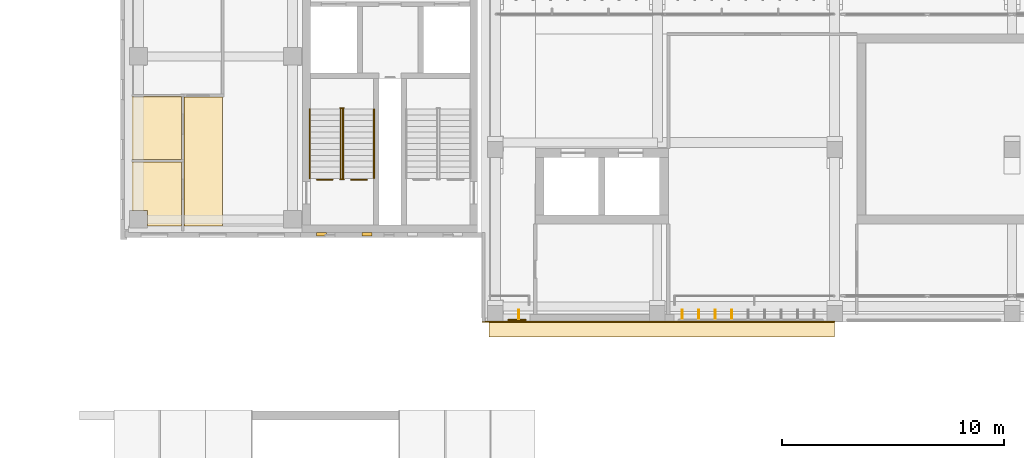
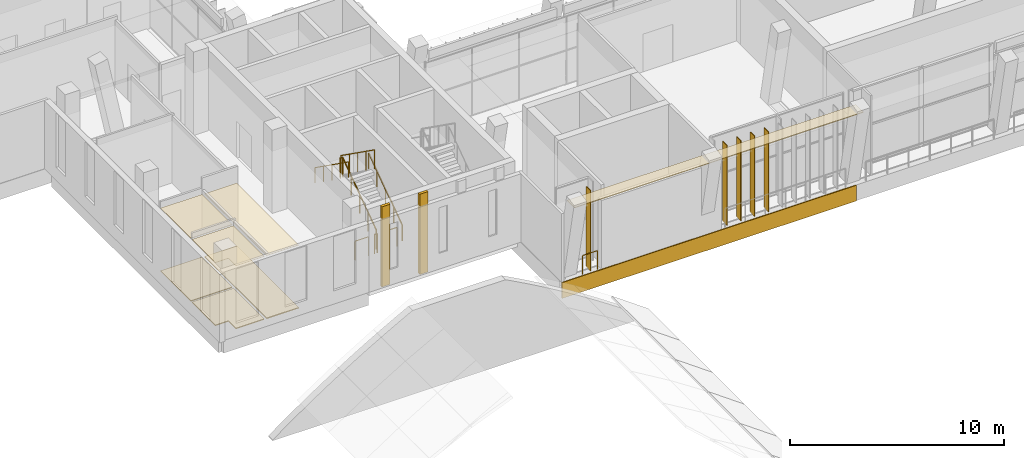
# One storey, part 53 of 74: 10 coverings, 9 railings, 5 shading devices.
"""IFC4 building model written with IfcOpenShell, lengths in metres."""

from ifc_helpers import new_model, si_unit, direction, frame, frame_2d, origin, origin_2d, place, context, subcontext, project, spatial, polyline, rectangle, circle, outline, extrude, material, layer, layer_set, type_object, element, save


model = new_model("IFC4")

# Units and contexts
model_context = context("Model", 3, precision=1e-05, world=origin(), true_north=direction((0.0, 1.0)))
body_context = subcontext(model_context, "Body", "Model", "MODEL_VIEW")
ifc_project = project(units=[si_unit("LENGTHUNIT", "METRE"), si_unit("AREAUNIT", "SQUARE_METRE"), si_unit("VOLUMEUNIT", "CUBIC_METRE"), si_unit("PLANEANGLEUNIT", "RADIAN"), si_unit("MASSUNIT", "GRAM", prefix="KILO")], contexts=[model_context])

# Site, building, storey
site_placement = place(None, origin())
site = spatial("IfcSite", under=ifc_project, at=site_placement, CompositionType="ELEMENT")
building_placement = place(site_placement, origin())
building = spatial("IfcBuilding", under=site, at=building_placement, Name="Lantern Court Media Centre", CompositionType="ELEMENT")
storey_placement = place(building_placement, frame((0.0, 0.0, 19.199951171875)))
storey = spatial("IfcBuildingStorey", under=building, at=storey_placement, Name="L04", CompositionType="ELEMENT", Elevation=19.199951171875)

# Coverings
ifc_material_1 = material(Name="Carpet")
ifc_layer_1 = layer(ifc_material_1, 0.050048828125)
ifc_layer_set_1 = layer_set([ifc_layer_1], Name="Carpet")
covering_type_1 = type_object("IfcCoveringType", Name="Carpet floor finish", PredefinedType="FLOORING", material=ifc_layer_set_1)
covering_1_placement = place(storey_placement, origin())
element("IfcCovering", 1, at=covering_1_placement, inside=storey, type_object=covering_type_1, Name="WC Male floor finish", PredefinedType="FLOORING", context=body_context, shape_type="SweptSolid", body=[
    extrude(outline(polyline([(8.300048828125, 51.18505859375), (10.532470703125, 51.18505859375), (10.532470703125, 48.300048828125), (9.0048828125, 48.300048828125), (9.00341796875, 49.00341796875), (8.300048828125, 49.0048828125), (8.300048828125, 51.18505859375)])), origin(), (0.0, 0.0, 1.0), 0.050048828125),
])
covering_2_placement = place(storey_placement, origin())
element("IfcCovering", 2, at=covering_2_placement, inside=storey, type_object=covering_type_1, Name="WC Female floor finish", PredefinedType="FLOORING", context=body_context, shape_type="SweptSolid", body=[
    extrude(outline(polyline([(8.300048828125, 54.125), (10.532470703125, 54.125), (10.532470703125, 51.294921875), (8.300048828125, 51.294921875), (8.300048828125, 54.125)])), origin(), (0.0, 0.0, 1.0), 0.050048828125),
])

# Railings
ifc_material_2 = material(Name="Powder-coated steel", Category="steel")
railing_type_1 = type_object("IfcRailingType", Name="Floor edge guard 1100", PredefinedType="GUARDRAIL", material=ifc_material_2)
railing_1_placement = place(storey_placement, frame((18.89990234375, 50.390380859375, 0.0)))
element("IfcRailing", 3, at=railing_1_placement, inside=storey, type_object=railing_type_1, Name="L04 opening guard 102", PredefinedType="GUARDRAIL", context=body_context, shape_type="SweptSolid", body=[
    extrude(circle(Radius=0.02392578125, at=origin_2d()), frame((0.0, 0.0, 1.076171875), z_axis=(-1.0, 0.0, 0.0), x_axis=(0.0, -1.0, 0.0)), (0.0, 0.0, 1.0), 0.70361328125),
    extrude(circle(Radius=0.02099609375, at=origin_2d()), origin(), (0.0, 0.0, 1.0), 1.052001953125),
    extrude(circle(Radius=0.02099609375, at=origin_2d()), frame((-0.70361328125, 0.0, 0.0)), (0.0, 0.0, 1.0), 1.052001953125),
])
railing_2_placement = place(storey_placement, frame((17.353759765625, 50.390380859375, 0.0)))
element("IfcRailing", 4, at=railing_2_placement, inside=storey, type_object=railing_type_1, Name="L04 opening guard 103", PredefinedType="GUARDRAIL", context=body_context, shape_type="SweptSolid", body=[
    extrude(circle(Radius=0.02392578125, at=origin_2d()), frame((0.0, 0.0, 1.076171875), z_axis=(-1.0, 0.0, 0.0), x_axis=(0.0, -1.0, 0.0)), (0.0, 0.0, 1.0), 0.703857421875),
    extrude(circle(Radius=0.02099609375, at=origin_2d()), origin(), (0.0, 0.0, 1.0), 1.052001953125),
    extrude(circle(Radius=0.02099609375, at=origin_2d()), frame((-0.703857421875, 0.0, 0.0)), (0.0, 0.0, 1.0), 1.052001953125),
])
railing_3_placement = place(storey_placement, frame((26.074951171875, 44.06005859375, 0.0)))
element("IfcRailing", 5, at=railing_3_placement, inside=storey, type_object=railing_type_1, Name="L04 edge guard 123", PredefinedType="GUARDRAIL", context=body_context, shape_type="SweptSolid", body=[
    extrude(circle(Radius=0.02392578125, at=origin_2d()), frame((0.0, 0.0, 1.076171875), z_axis=(-1.0, 0.0, 0.0), x_axis=(0.0, -1.0, 0.0)), (0.0, 0.0, 1.0), 0.800048828125),
    extrude(circle(Radius=0.02099609375, at=origin_2d()), origin(), (0.0, 0.0, 1.0), 1.052001953125),
    extrude(circle(Radius=0.02099609375, at=origin_2d()), frame((-0.800048828125, 0.0, 0.0)), (0.0, 0.0, 1.0), 1.052001953125),
])

# Coverings
ifc_material_3 = material(Name="White glass-fibre reinforced cement cladding", Category="concrete")
ifc_layer_2 = layer(ifc_material_3, 0.050048828125)
ifc_layer_set_2 = layer_set([ifc_layer_2], Name="White glass-fibre reinforced cement cladding")
covering_type_2 = type_object("IfcCoveringType", Name="Floor-edge band 50", PredefinedType="CLADDING", material=ifc_layer_set_2)
covering_3_placement = place(storey_placement, frame((24.10009765625, 43.97509765625, -0.89990234375), z_axis=(0.0, 0.0, 1.0), x_axis=(1.0, 0.0, 0.0)))
element("IfcCovering", 6, at=covering_3_placement, inside=storey, type_object=covering_type_2, Name="Floor-edge band S outer L04", PredefinedType="CLADDING", context=body_context, shape_type="SweptSolid", body=[
    extrude(rectangle(XDim=15.89990234375, YDim=0.050048828125, at=frame_2d((7.949951171875, 0.0))), origin(), (0.0, 0.0, 1.0), 0.89990234375),
])
ifc_material_4 = material(Name="Honed limestone cladding", Category="masonry")
ifc_layer_3 = layer(ifc_material_4, 0.14990234375)
ifc_layer_set_3 = layer_set([ifc_layer_3], Name="Honed limestone cladding")
covering_type_3 = type_object("IfcCoveringType", Name="Limestone pilaster cladding 150", PredefinedType="CLADDING", material=ifc_layer_set_3)
for number, where, z_axis, x_axis, name in (
    (7, (16.625, 47.925048828125, 0.0), (0.0, 0.0, 1.0), (1.0, 0.0, 0.0), "Limestone pilaster rib"),
    (8, (18.675048828125, 47.925048828125, 0.0), (0.0, 0.0, 1.0), (1.0, 0.0, 0.0), "Limestone pilaster rib"),
):
    element("IfcCovering", number, at=place(storey_placement, frame(where, z_axis=z_axis, x_axis=x_axis)), inside=storey, type_object=covering_type_3, Name=name, PredefinedType="CLADDING", context=body_context, shape_type="SweptSolid", body=[
        extrude(rectangle(XDim=0.449951171875, YDim=0.14990234375, at=frame_2d((0.22509765625, 0.0))), origin(), (0.0, 0.0, 1.0), 4.580078125),
    ])
ifc_material_5 = material(Name="White fibre cement soffit board")
ifc_layer_4 = layer(ifc_material_5, 0.0400390625)
ifc_layer_set_4 = layer_set([ifc_layer_4], Name="White fibre cement soffit board")
covering_type_4 = type_object("IfcCoveringType", Name="Soffit lining 40", PredefinedType="CLADDING", material=ifc_layer_set_4)
covering_4_placement = place(storey_placement, frame((24.39990234375, 43.64990234375, 4.5400390625), z_axis=(0.0, 0.0, 1.0), x_axis=(1.0, 0.0, 0.0)))
element("IfcCovering", 9, at=covering_4_placement, inside=storey, type_object=covering_type_4, Name="Soffit lining S L04", PredefinedType="CLADDING", context=body_context, shape_type="SweptSolid", body=[
    extrude(rectangle(XDim=15.60009765625, YDim=0.699951171875, at=frame_2d((7.800048828125, 0.0))), origin(), (0.0, 0.0, 1.0), 0.0400390625),
])

# Railings
railing_type_2 = type_object("IfcRailingType", Name="Stair guard 1100", PredefinedType="GUARDRAIL", material=ifc_material_2)
railing_4_placement = place(storey_placement, frame((17.825927734375, 50.449951171875, 0.1845703125)))
element("IfcRailing", 10, at=railing_4_placement, inside=storey, type_object=railing_type_2, Name="L04 ST-SWA stair guard 1", PredefinedType="GUARDRAIL", context=body_context, shape_type="SweptSolid", body=[
    extrude(circle(Radius=0.02392578125, at=origin_2d()), frame((0.0, 0.0, 1.076171875), z_axis=(0.0, 0.815346844174, 0.578972817752), x_axis=(-1.0, 0.0, 0.0)), (0.0, 0.0, 1.0), 3.82666015625),
    extrude(circle(Radius=0.02099609375, at=origin_2d()), origin(), (0.0, 0.0, 1.0), 1.052001953125),
    extrude(circle(Radius=0.02099609375, at=origin_2d()), frame((0.0, 0.780029296875, 0.553955078125)), (0.0, 0.0, 1.0), 1.052001953125),
    extrude(circle(Radius=0.02099609375, at=origin_2d()), frame((0.0, 1.56005859375, 1.10791015625)), (0.0, 0.0, 1.0), 1.052001953125),
    extrude(circle(Radius=0.02099609375, at=origin_2d()), frame((0.0, 2.340087890625, 1.66162109375)), (0.0, 0.0, 1.0), 1.052001953125),
    extrude(circle(Radius=0.02099609375, at=origin_2d()), frame((0.0, 3.1201171875, 2.215576171875)), (0.0, 0.0, 1.0), 1.052001953125),
])
railing_5_placement = place(storey_placement, frame((17.85009765625, 53.6201171875, 2.400146484375)))
element("IfcRailing", 11, at=railing_5_placement, inside=storey, type_object=railing_type_2, Name="L04 ST-SWA stair guard 2", PredefinedType="GUARDRAIL", context=body_context, shape_type="SweptSolid", body=[
    extrude(circle(Radius=0.02392578125, at=origin_2d()), frame((0.0, 0.0, 1.076171875), z_axis=(-1.0, 0.0, 0.0), x_axis=(0.0, -1.0, 0.0)), (0.0, 0.0, 1.0), 0.150146484375),
    extrude(circle(Radius=0.02099609375, at=origin_2d()), origin(), (0.0, 0.0, 1.0), 1.052001953125),
    extrude(circle(Radius=0.02099609375, at=origin_2d()), frame((-0.150146484375, 0.0, 0.0)), (0.0, 0.0, 1.0), 1.052001953125),
])
railing_6_placement = place(storey_placement, frame((17.72412109375, 53.570068359375, 2.584716796875)))
element("IfcRailing", 12, at=railing_6_placement, inside=storey, type_object=railing_type_2, Name="L04 ST-SWA stair guard 3", PredefinedType="GUARDRAIL", context=body_context, shape_type="SweptSolid", body=[
    extrude(circle(Radius=0.02392578125, at=origin_2d()), frame((0.0, 0.0, 1.076171875), z_axis=(0.0, -0.815376961211, 0.578930402662), x_axis=(1.0, 0.0, 0.0)), (0.0, 0.0, 1.0), 3.82666015625),
    extrude(circle(Radius=0.02099609375, at=origin_2d()), origin(), (0.0, 0.0, 1.0), 1.052001953125),
    extrude(circle(Radius=0.02099609375, at=origin_2d()), frame((0.0, -0.780029296875, 0.5537109375)), (0.0, 0.0, 1.0), 1.052001953125),
    extrude(circle(Radius=0.02099609375, at=origin_2d()), frame((0.0, -1.56005859375, 1.107666015625)), (0.0, 0.0, 1.0), 1.052001953125),
    extrude(circle(Radius=0.02099609375, at=origin_2d()), frame((0.0, -2.340087890625, 1.66162109375)), (0.0, 0.0, 1.0), 1.052001953125),
    extrude(circle(Radius=0.02099609375, at=origin_2d()), frame((0.0, -3.1201171875, 2.21533203125)), (0.0, 0.0, 1.0), 1.052001953125),
])
railing_7_placement = place(storey_placement, frame((17.85009765625, 50.39990234375, 0.0)))
element("IfcRailing", 13, at=railing_7_placement, inside=storey, type_object=railing_type_2, Name="L04 ST-SWA stair guard 4", PredefinedType="GUARDRAIL", context=body_context, shape_type="SweptSolid", body=[
    extrude(circle(Radius=0.02392578125, at=origin_2d()), frame((0.0, 0.0, 1.076171875), z_axis=(-1.0, 0.0, 0.0), x_axis=(0.0, -1.0, 0.0)), (0.0, 0.0, 1.0), 0.150146484375),
    extrude(circle(Radius=0.02099609375, at=origin_2d()), origin(), (0.0, 0.0, 1.0), 1.052001953125),
    extrude(circle(Radius=0.02099609375, at=origin_2d()), frame((-0.150146484375, 0.0, 0.0)), (0.0, 0.0, 1.0), 1.052001953125),
])
railing_type_3 = type_object("IfcRailingType", Name="Stair handrail 900", PredefinedType="HANDRAIL", material=ifc_material_2)
railing_8_placement = place(storey_placement, frame((19.22412109375, 50.449951171875, 0.1845703125)))
element("IfcRailing", 14, at=railing_8_placement, inside=storey, type_object=railing_type_3, Name="L04 ST-SWA stair handrail 1", PredefinedType="HANDRAIL", context=body_context, shape_type="SweptSolid", body=[
    extrude(circle(Radius=0.02392578125, at=origin_2d()), frame((0.0, 0.0, 0.8759765625), z_axis=(0.0, 0.815346844174, 0.578972817752), x_axis=(-1.0, 0.0, 0.0)), (0.0, 0.0, 1.0), 3.82666015625),
    extrude(circle(Radius=0.02099609375, at=origin_2d()), origin(), (0.0, 0.0, 1.0), 0.851806640625),
    extrude(circle(Radius=0.02099609375, at=origin_2d()), frame((0.0, 0.780029296875, 0.553955078125)), (0.0, 0.0, 1.0), 0.851806640625),
    extrude(circle(Radius=0.02099609375, at=origin_2d()), frame((0.0, 1.56005859375, 1.10791015625)), (0.0, 0.0, 1.0), 0.851806640625),
    extrude(circle(Radius=0.02099609375, at=origin_2d()), frame((0.0, 2.340087890625, 1.66162109375)), (0.0, 0.0, 1.0), 0.851806640625),
    extrude(circle(Radius=0.02099609375, at=origin_2d()), frame((0.0, 3.1201171875, 2.215576171875)), (0.0, 0.0, 1.0), 0.851806640625),
])
railing_9_placement = place(storey_placement, frame((16.325927734375, 53.570068359375, 2.584716796875)))
element("IfcRailing", 15, at=railing_9_placement, inside=storey, type_object=railing_type_3, Name="L04 ST-SWA stair handrail 2", PredefinedType="HANDRAIL", context=body_context, shape_type="SweptSolid", body=[
    extrude(circle(Radius=0.02392578125, at=origin_2d()), frame((0.0, 0.0, 0.8759765625), z_axis=(0.0, -0.815376961211, 0.578930402662), x_axis=(1.0, 0.0, 0.0)), (0.0, 0.0, 1.0), 3.82666015625),
    extrude(circle(Radius=0.02099609375, at=origin_2d()), origin(), (0.0, 0.0, 1.0), 0.851806640625),
    extrude(circle(Radius=0.02099609375, at=origin_2d()), frame((0.0, -0.780029296875, 0.5537109375)), (0.0, 0.0, 1.0), 0.851806640625),
    extrude(circle(Radius=0.02099609375, at=origin_2d()), frame((0.0, -1.56005859375, 1.107666015625)), (0.0, 0.0, 1.0), 0.851806640625),
    extrude(circle(Radius=0.02099609375, at=origin_2d()), frame((0.0, -2.340087890625, 1.66162109375)), (0.0, 0.0, 1.0), 0.851806640625),
    extrude(circle(Radius=0.02099609375, at=origin_2d()), frame((0.0, -3.1201171875, 2.21533203125)), (0.0, 0.0, 1.0), 0.851806640625),
])

# Coverings
ifc_material_6 = material(Name="Mineral fibre ceiling tile")
ifc_layer_5 = layer(ifc_material_6, 0.02001953125)
ifc_layer_set_5 = layer_set([ifc_layer_5], Name="Mineral fibre ceiling tile")
covering_type_5 = type_object("IfcCoveringType", Name="Suspended ceiling tile", PredefinedType="CEILING", material=ifc_layer_set_5)
covering_5_placement = place(storey_placement, frame((0.0, 0.0, 3.60009765625)))
element("IfcCovering", 16, at=covering_5_placement, inside=storey, type_object=covering_type_5, Name="WC Lobby ceiling", PredefinedType="CEILING", context=body_context, shape_type="SweptSolid", body=[
    extrude(outline(polyline([(12.39990234375, 48.300048828125), (10.6630859375, 48.300048828125), (10.6630859375, 54.116943359375), (12.39990234375, 54.116943359375), (12.39990234375, 48.300048828125)])), origin(), (0.0, 0.0, 1.0), 0.02001953125),
])
covering_6_placement = place(storey_placement, frame((0.0, 0.0, 3.60009765625)))
element("IfcCovering", 17, at=covering_6_placement, inside=storey, type_object=covering_type_5, Name="WC Male ceiling", PredefinedType="CEILING", context=body_context, shape_type="SweptSolid", body=[
    extrude(outline(polyline([(8.300048828125, 51.189453125), (10.537109375, 51.189453125), (10.537109375, 48.300048828125), (9.00048828125, 48.300048828125), (9.000244140625, 49.000244140625), (8.300048828125, 49.00048828125), (8.300048828125, 51.189453125)])), origin(), (0.0, 0.0, 1.0), 0.02001953125),
])
covering_7_placement = place(storey_placement, frame((0.0, 0.0, 3.60009765625)))
element("IfcCovering", 18, at=covering_7_placement, inside=storey, type_object=covering_type_5, Name="WC Female ceiling", PredefinedType="CEILING", context=body_context, shape_type="SweptSolid", body=[
    extrude(outline(polyline([(8.300048828125, 54.12939453125), (10.537109375, 54.12939453125), (10.537109375, 51.29052734375), (8.300048828125, 51.29052734375), (8.300048828125, 54.12939453125)])), origin(), (0.0, 0.0, 1.0), 0.02001953125),
])
ifc_material_7 = material(Name="Terrazzo")
ifc_layer_6 = layer(ifc_material_7, 0.050048828125)
ifc_layer_set_6 = layer_set([ifc_layer_6], Name="Terrazzo")
covering_type_6 = type_object("IfcCoveringType", Name="Terrazzo floor finish", PredefinedType="FLOORING", material=ifc_layer_set_6)
covering_8_placement = place(storey_placement, origin())
element("IfcCovering", 19, at=covering_8_placement, inside=storey, type_object=covering_type_6, Name="WC Lobby floor finish", PredefinedType="FLOORING", context=body_context, shape_type="SweptSolid", body=[
    extrude(outline(polyline([(12.39990234375, 48.300048828125), (10.66748046875, 48.300048828125), (10.66748046875, 54.112548828125), (12.39990234375, 54.112548828125), (12.39990234375, 48.300048828125)])), origin(), (0.0, 0.0, 1.0), 0.050048828125),
])

# Shading devices
ifc_material_8 = material(Name="Bronze anodised aluminium louvre", Category="aluminium")
ifc_layer_7 = layer(ifc_material_8, 0.0400390625)
ifc_layer_set_7 = layer_set([ifc_layer_7], Name="Bronze anodised aluminium louvre")
shading_device_type = type_object("IfcShadingDeviceType", Name="Vertical louvre 40x400 full storey", PredefinedType="USERDEFINED", material=ifc_layer_set_7)
for number, where, z_axis, x_axis, name in (
    (20, (25.75, 44.320068359375, 0.0), (0.0, 0.0, 1.0), (1.0, 0.0, 0.0), "Vertical louvre S outer L04"),
    (21, (33.122314453125, 44.320068359375, 0.0), (0.0, 0.0, 1.0), (1.0, 0.0, 0.0), "Vertical louvre S outer L04"),
    (22, (33.86669921875, 44.320068359375, 0.0), (0.0, 0.0, 1.0), (1.0, 0.0, 0.0), "Vertical louvre S outer L04"),
    (23, (34.611083984375, 44.320068359375, 0.0), (0.0, 0.0, 1.0), (1.0, 0.0, 0.0), "Vertical louvre S outer L04"),
    (24, (35.35546875, 44.320068359375, 0.0), (0.0, 0.0, 1.0), (1.0, 0.0, 0.0), "Vertical louvre S outer L04"),
):
    element("IfcShadingDevice", number, at=place(storey_placement, frame(where, z_axis=z_axis, x_axis=x_axis)), inside=storey, type_object=shading_device_type, Name=name, ObjectType="VERTICAL LOUVRE", PredefinedType="USERDEFINED", context=body_context, shape_type="SweptSolid", body=[
        extrude(rectangle(XDim=0.0400390625, YDim=0.39990234375, at=origin_2d()), origin(), (0.0, 0.0, 1.0), 4.580078125),
    ])

save(model, "model.ifc")
